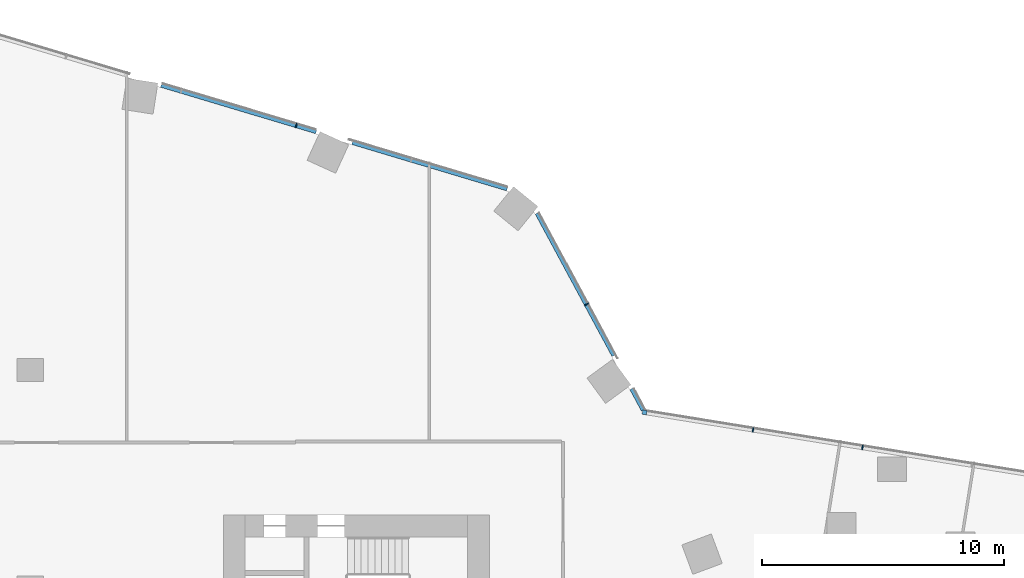
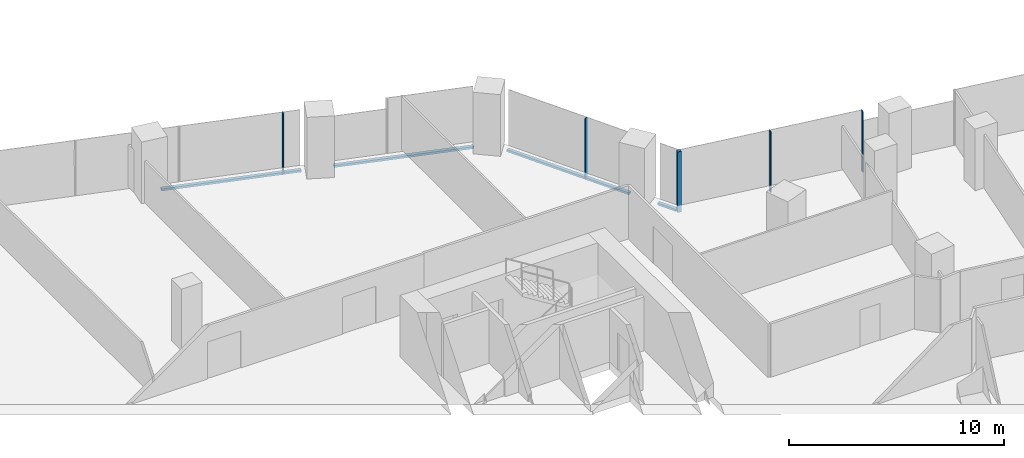
# One storey, part 13 of 34: 9 members, 3 elements without a shape of their own.
"""IFC4 building model written with IfcOpenShell, lengths in metres."""

from ifc_helpers import new_model, si_unit, direction, frame, origin, origin_2d, place, context, subcontext, project, spatial, rectangle, extrude, material, material_profile, profile_set, type_object, element, aggregate, save


model = new_model("IFC4")

# Units and contexts
model_context = context("Model", 3, precision=1e-05, world=origin(), true_north=direction((0.0, 1.0)))
body_context = subcontext(model_context, "Body", "Model", "MODEL_VIEW")
ifc_project = project(units=[si_unit("LENGTHUNIT", "METRE"), si_unit("AREAUNIT", "SQUARE_METRE"), si_unit("VOLUMEUNIT", "CUBIC_METRE"), si_unit("PLANEANGLEUNIT", "RADIAN"), si_unit("MASSUNIT", "GRAM", prefix="KILO")], contexts=[model_context])

# Site, building, storey
site_placement = place(None, origin())
site = spatial("IfcSite", under=ifc_project, at=site_placement, CompositionType="ELEMENT")
building_placement = place(site_placement, origin())
building = spatial("IfcBuilding", under=site, at=building_placement, Name="Orlundy Tower", CompositionType="ELEMENT")
storey_placement = place(building_placement, frame((0.0, 0.0, 137.699951171875)))
storey = spatial("IfcBuildingStorey", under=building, at=storey_placement, Name="L35", CompositionType="ELEMENT", Elevation=137.699951171875)

# Curtain wall, member
ifc_material_1 = material(Name="Aluminium bronze anodised", Category="aluminium")
curtain_wall_type = type_object("IfcCurtainWallType", Name="CW1 wall", PredefinedType="NOTDEFINED", material=ifc_material_1)
curtain_wall_1_placement = place(storey_placement, origin())
curtain_wall_1 = element("IfcCurtainWall", 1, at=curtain_wall_1_placement, inside=storey, type_object=curtain_wall_type, Name="CW1 run 06", PredefinedType="NOTDEFINED")
ifc_material_2 = material(Name="Aluminium bronze anodised", Category="aluminium")
ifc_material_profile_1 = material_profile(ifc_material_2, rectangle(XDim=0.179931640625, YDim=0.179931640625, at=origin_2d()), Name="CW1 corner post 180x180")
ifc_profile_set_1 = profile_set([ifc_material_profile_1], Name="Aluminium bronze anodised")
member_type_1 = type_object("IfcMemberType", Name="CW1 corner post 180x180", PredefinedType="MULLION", material=ifc_profile_set_1)
member_1_placement = place(storey_placement, frame((25.425048828125, 16.246826171875, -0.39990234375), z_axis=(0.0, 0.0, 1.0), x_axis=(0.159302095871, 0.987229883184, 0.0)))
member_1 = element("IfcMember", 2, at=member_1_placement, type_object=member_type_1, Name="CW1 mullion 26", PredefinedType="MULLION", context=body_context, shape_type="SweptSolid", body=[
    extrude(rectangle(XDim=0.179931640625, YDim=0.179931640625, at=origin_2d()), origin(), (0.0, 0.0, 1.0), 3.449951171875),
])

curtain_wall_2_placement = place(storey_placement, origin())
curtain_wall_2 = element("IfcCurtainWall", 3, at=curtain_wall_2_placement, inside=storey, type_object=curtain_wall_type, Name="CW1 run 04", PredefinedType="NOTDEFINED")
ifc_material_3 = material(Name="Aluminium bronze anodised", Category="aluminium")
ifc_material_profile_2 = material_profile(ifc_material_3, rectangle(XDim=0.179931640625, YDim=0.050048828125, at=origin_2d()), Name="CW1 mullion 50x180")
ifc_profile_set_2 = profile_set([ifc_material_profile_2], Name="Aluminium bronze anodised")
member_type_2 = type_object("IfcMemberType", Name="CW1 mullion 50x180", PredefinedType="MULLION", material=ifc_profile_set_2)
member_2_placement = place(storey_placement, frame((11.010498046875, 28.113525390625, -0.39990234375), z_axis=(0.0, 0.0, 1.0), x_axis=(0.286816257107, 0.957985612971, 0.0)))
member_2 = element("IfcMember", 4, at=member_2_placement, type_object=member_type_2, Name="CW1 mullion 22", PredefinedType="MULLION", context=body_context, shape_type="SweptSolid", body=[
    extrude(rectangle(XDim=0.179931640625, YDim=0.050048828125, at=origin_2d()), origin(), (0.0, 0.0, 1.0), 3.449951171875),
])

curtain_wall_3_placement = place(storey_placement, origin())
curtain_wall_3 = element("IfcCurtainWall", 5, at=curtain_wall_3_placement, inside=storey, type_object=curtain_wall_type, Name="CW1 run 05", PredefinedType="NOTDEFINED")
member_3_placement = place(storey_placement, frame((23.0166015625, 20.713134765625, -0.39990234375), z_axis=(0.0, 0.0, 1.0), x_axis=(0.880188659482, 0.4746239814, 0.0)))
member_3 = element("IfcMember", 6, at=member_3_placement, type_object=member_type_2, Name="CW1 mullion 25", PredefinedType="MULLION", context=body_context, shape_type="SweptSolid", body=[
    extrude(rectangle(XDim=0.179931640625, YDim=0.050048828125, at=origin_2d()), origin(), (0.0, 0.0, 1.0), 3.449951171875),
])

# Member
member_4_placement = place(storey_placement, frame((29.91162109375, 15.52294921875, -0.39990234375), z_axis=(0.0, 0.0, 1.0), x_axis=(0.159302095871, 0.987229883184, 0.0)))
member_4 = element("IfcMember", 7, at=member_4_placement, type_object=member_type_2, Name="CW1 mullion 27", PredefinedType="MULLION", context=body_context, shape_type="SweptSolid", body=[
    extrude(rectangle(XDim=0.179931640625, YDim=0.050048828125, at=origin_2d()), origin(), (0.0, 0.0, 1.0), 3.449951171875),
])

member_5_placement = place(storey_placement, frame((34.441650390625, 14.791748046875, -0.39990234375), z_axis=(0.0, 0.0, 1.0), x_axis=(0.159302095871, 0.987229883184, 0.0)))
member_5 = element("IfcMember", 8, at=member_5_placement, type_object=member_type_2, Name="CW1 mullion 28", PredefinedType="MULLION", context=body_context, shape_type="SweptSolid", body=[
    extrude(rectangle(XDim=0.179931640625, YDim=0.050048828125, at=origin_2d()), origin(), (0.0, 0.0, 1.0), 3.449951171875),
])

aggregate(curtain_wall_1, [member_1, member_4, member_5])

ifc_material_4 = material(Name="Aluminium bronze anodised", Category="aluminium")
ifc_material_profile_3 = material_profile(ifc_material_4, rectangle(XDim=0.179931640625, YDim=0.1201171875, at=origin_2d()), Name="CW1 transom 180x120")
ifc_profile_set_3 = profile_set([ifc_material_profile_3], Name="Aluminium bronze anodised")
member_type_3 = type_object("IfcMemberType", Name="CW1 transom 180x120", PredefinedType="USERDEFINED", material=ifc_profile_set_3)
member_6_placement = place(storey_placement, frame((5.42333984375, 29.7861328125, -0.33984375), z_axis=(0.957990744373, -0.28679911732, 0.0), x_axis=(0.28679911732, 0.957990744373, 0.0)))
member_6 = element("IfcMember", 9, at=member_6_placement, type_object=member_type_3, Name="CW1 transom", ObjectType="TRANSOM", PredefinedType="USERDEFINED", context=body_context, shape_type="SweptSolid", body=[
    extrude(rectangle(XDim=0.179931640625, YDim=0.1201171875, at=origin_2d()), origin(), (0.0, 0.0, 1.0), 6.6943359375),
])

member_7_placement = place(storey_placement, frame((13.3359375, 27.417236328125, -0.33984375), z_axis=(0.957985946762, -0.28681514222, 0.0), x_axis=(0.28681514222, 0.957985946762, 0.0)))
member_7 = element("IfcMember", 10, at=member_7_placement, type_object=member_type_3, Name="CW1 transom", ObjectType="TRANSOM", PredefinedType="USERDEFINED", context=body_context, shape_type="SweptSolid", body=[
    extrude(rectangle(XDim=0.179931640625, YDim=0.1201171875, at=origin_2d()), origin(), (0.0, 0.0, 1.0), 6.685302734375),
])

aggregate(curtain_wall_2, [member_2, member_6, member_7])

member_8_placement = place(storey_placement, frame((20.980712890625, 24.489013671875, -0.33984375), z_axis=(0.474619880398, -0.880190870852, 0.0), x_axis=(0.880190870852, 0.474619880398, 0.0)))
member_8 = element("IfcMember", 11, at=member_8_placement, type_object=member_type_3, Name="CW1 transom", ObjectType="TRANSOM", PredefinedType="USERDEFINED", context=body_context, shape_type="SweptSolid", body=[
    extrude(rectangle(XDim=0.179931640625, YDim=0.1201171875, at=origin_2d()), origin(), (0.0, 0.0, 1.0), 6.689697265625),
])

member_9_placement = place(storey_placement, frame((24.896728515625, 17.226806640625, -0.33984375), z_axis=(0.474638444539, -0.880180860372, 0.0), x_axis=(0.880180860372, 0.474638444539, 0.0)))
member_9 = element("IfcMember", 12, at=member_9_placement, type_object=member_type_3, Name="CW1 transom", ObjectType="TRANSOM", PredefinedType="USERDEFINED", context=body_context, shape_type="SweptSolid", body=[
    extrude(rectangle(XDim=0.179931640625, YDim=0.1201171875, at=origin_2d()), origin(), (0.0, 0.0, 1.0), 1.0),
])

aggregate(curtain_wall_3, [member_3, member_8, member_9])

save(model, "model.ifc")
